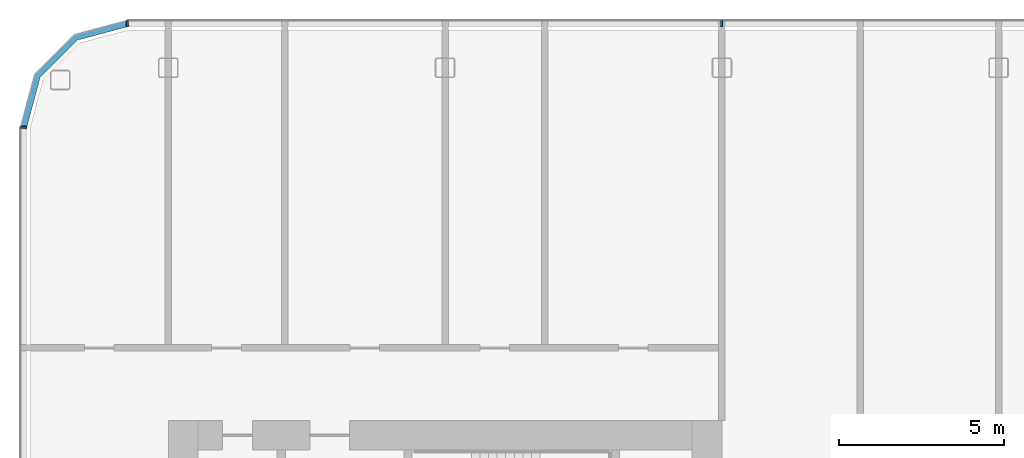
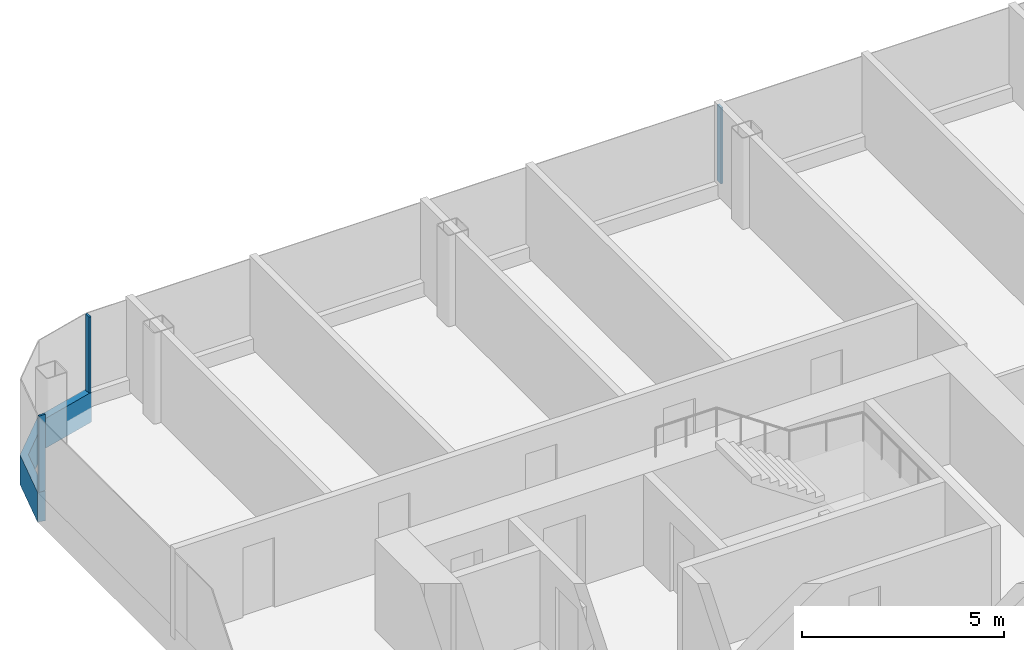
# One storey, part 6 of 26: 4 members, 3 elements without a shape of their own.
"""IFC4 building model written with IfcOpenShell, lengths in metres."""

from ifc_helpers import new_model, si_unit, direction, frame, origin, origin_2d, place, context, subcontext, project, spatial, polyline, rectangle, outline, extrude, material, layer, layer_set, material_profile, profile_set, type_object, element, aggregate, save


model = new_model("IFC4")

# Units and contexts
model_context = context("Model", 3, precision=1e-05, world=origin(), true_north=direction((0.0, 1.0)))
body_context = subcontext(model_context, "Body", "Model", "MODEL_VIEW")
ifc_project = project(units=[si_unit("LENGTHUNIT", "METRE"), si_unit("AREAUNIT", "SQUARE_METRE"), si_unit("VOLUMEUNIT", "CUBIC_METRE"), si_unit("PLANEANGLEUNIT", "RADIAN"), si_unit("MASSUNIT", "GRAM", prefix="KILO")], contexts=[model_context])

# Site, building, storey
site_placement = place(None, origin())
site = spatial("IfcSite", under=ifc_project, at=site_placement, CompositionType="ELEMENT")
building_placement = place(site_placement, origin())
building = spatial("IfcBuilding", under=site, at=building_placement, Name="Hakoniwa Tower and Hamabe Station Hall", CompositionType="ELEMENT")
storey_placement = place(building_placement, frame((0.0, 0.0, 196.199951171875)))
storey = spatial("IfcBuildingStorey", under=building, at=storey_placement, Name="L55", CompositionType="ELEMENT", Elevation=196.199951171875)

# Curtain wall, member
ifc_material_1 = material(Name="Dark low-e laminated glass", Category="glass")
ifc_layer = layer(ifc_material_1, 0.199951171875)
ifc_layer_set = layer_set([ifc_layer], Name="CW-1 UNITISED GUEST")
curtain_wall_type = type_object("IfcCurtainWallType", Name="CW-1 UNITISED GUEST", PredefinedType="NOTDEFINED", material=ifc_layer_set)
curtain_wall_1_placement = place(storey_placement, origin())
curtain_wall_1 = element("IfcCurtainWall", 1, at=curtain_wall_1_placement, inside=storey, type_object=curtain_wall_type, Name="CW-1 curtain wall", PredefinedType="NOTDEFINED")
ifc_material_2 = material(Name="Aluminium 6063-T5 black anodised", Category="aluminium")
ifc_material_profile_1 = material_profile(ifc_material_2, rectangle(XDim=0.199951171875, YDim=0.89990234375, at=origin_2d()), Name="CW SLAB-EDGE BAND 900X200")
ifc_profile_set_1 = profile_set([ifc_material_profile_1], Name="Aluminium 6063-T5 black anodised")
member_type_1 = type_object("IfcMemberType", Name="CW SLAB-EDGE BAND 900X200", PredefinedType="USERDEFINED", material=ifc_profile_set_1)
member_1_placement = place(storey_placement, frame((0.0, 0.0, -0.550048828125)))
member_1 = element("IfcMember", 2, at=member_1_placement, type_object=member_type_1, Name="CW-1 transom", ObjectType="TRANSOM", PredefinedType="USERDEFINED", context=body_context, shape_type="SweptSolid", body=[
    extrude(outline(polyline([(-34.839599609375, 20.550048828125), (-36.455322265625, 20.116943359375), (-37.6669921875, 18.9052734375), (-38.10009765625, 17.28955078125), (-37.90673828125, 17.23779296875), (-37.48779296875, 18.8017578125), (-36.351806640625, 19.937744140625), (-34.787841796875, 20.35693359375), (-34.839599609375, 20.550048828125)])), origin(), (0.0, 0.0, 1.0), 0.900146484375),
])
aggregate(curtain_wall_1, [member_1])

# Curtain wall, members
curtain_wall_2_placement = place(storey_placement, origin())
curtain_wall_2 = element("IfcCurtainWall", 3, at=curtain_wall_2_placement, inside=storey, type_object=curtain_wall_type, Name="CW-1 curtain wall", PredefinedType="NOTDEFINED")
ifc_material_3 = material(Name="Aluminium 6063-T5 black anodised", Category="aluminium")
ifc_material_profile_2 = material_profile(ifc_material_3, rectangle(XDim=0.06005859375, YDim=0.179931640625, at=origin_2d()), Name="CW-1 MULLION 60X180")
ifc_profile_set_2 = profile_set([ifc_material_profile_2], Name="Aluminium 6063-T5 black anodised")
member_type_2 = type_object("IfcMemberType", Name="CW-1 MULLION 60X180", PredefinedType="MULLION", material=ifc_profile_set_2)
member_2_placement = place(storey_placement, frame((-16.800048828125, 20.431884765625, 0.35009765625), z_axis=(0.0, 0.0, 1.0), x_axis=(-1.0, 0.0, 0.0)))
member_2 = element("IfcMember", 4, at=member_2_placement, type_object=member_type_2, Name="CW-1 mullion", PredefinedType="MULLION", context=body_context, shape_type="SweptSolid", body=[
    extrude(rectangle(XDim=0.06005859375, YDim=0.179931640625, at=origin_2d()), origin(), (0.0, 0.0, 1.0), 2.300048828125),
])
member_3_placement = place(storey_placement, frame((-34.839599609375, 20.431884765625, 0.35009765625), z_axis=(0.0, 0.0, 1.0), x_axis=(-1.0, 0.0, 0.0)))
member_3 = element("IfcMember", 5, at=member_3_placement, type_object=member_type_2, Name="CW-1 mullion", PredefinedType="MULLION", context=body_context, shape_type="SweptSolid", body=[
    extrude(rectangle(XDim=0.06005859375, YDim=0.179931640625, at=origin_2d()), origin(), (0.0, 0.0, 1.0), 2.300048828125),
])
aggregate(curtain_wall_2, [member_2, member_3])

# Curtain wall, member
curtain_wall_3_placement = place(storey_placement, origin())
curtain_wall_3 = element("IfcCurtainWall", 6, at=curtain_wall_3_placement, inside=storey, type_object=curtain_wall_type, Name="CW-1 curtain wall", PredefinedType="NOTDEFINED")
member_4_placement = place(storey_placement, frame((-37.98193359375, 17.28955078125, 0.35009765625), z_axis=(0.0, 0.0, 1.0), x_axis=(0.0, -1.0, 0.0)))
member_4 = element("IfcMember", 7, at=member_4_placement, type_object=member_type_2, Name="CW-1 mullion", PredefinedType="MULLION", context=body_context, shape_type="SweptSolid", body=[
    extrude(rectangle(XDim=0.06005859375, YDim=0.179931640625, at=origin_2d()), origin(), (0.0, 0.0, 1.0), 2.300048828125),
])
aggregate(curtain_wall_3, [member_4])

save(model, "model.ifc")
